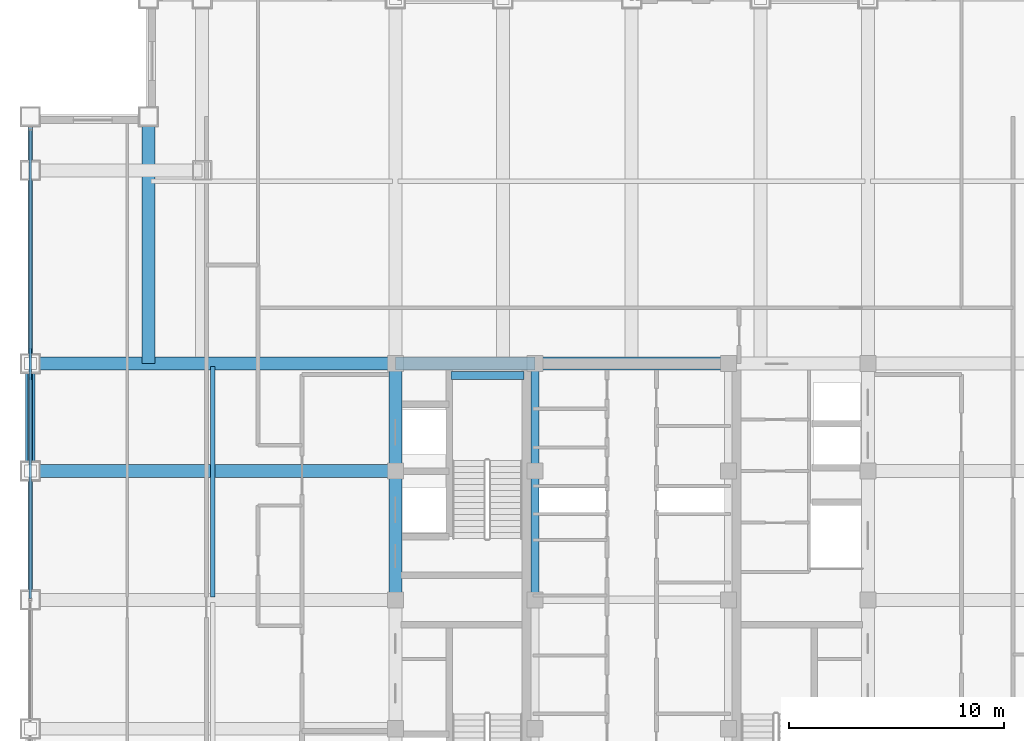
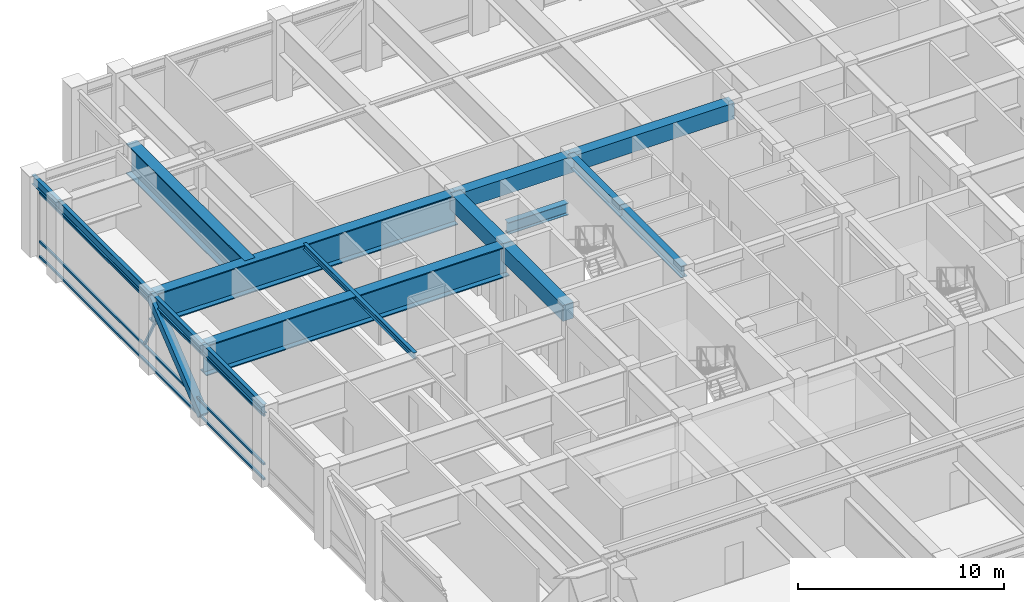
# One storey, part 13 of 31: 15 beams, 5 members, 1 element without a shape of its own.
"""IFC4 building model written with IfcOpenShell, lengths in metres."""

from ifc_helpers import new_model, si_unit, direction, frame, origin, origin_2d, place, context, subcontext, project, spatial, rectangle, hollow_rectangle, i_section, extrude, source, transform, mapped, material, material_profile, profile_set, type_object, element, aggregate, save


model = new_model("IFC4")

# Units and contexts
model_context = context("Model", 3, precision=1e-05, world=origin(), true_north=direction((0.0, 1.0)))
body_context = subcontext(model_context, "Body", "Model", "MODEL_VIEW")
ifc_project = project(units=[si_unit("LENGTHUNIT", "METRE"), si_unit("AREAUNIT", "SQUARE_METRE"), si_unit("VOLUMEUNIT", "CUBIC_METRE"), si_unit("PLANEANGLEUNIT", "RADIAN"), si_unit("MASSUNIT", "GRAM", prefix="KILO")], contexts=[model_context])

# Site, building, storey
site_placement = place(None, origin())
site = spatial("IfcSite", under=ifc_project, at=site_placement, CompositionType="ELEMENT")
building_placement = place(site_placement, origin())
building = spatial("IfcBuilding", under=site, at=building_placement, Name="Khorayat Bourse Tower", CompositionType="ELEMENT")
storey_placement = place(building_placement, frame((0.0, 0.0, 321.5)))
storey = spatial("IfcBuildingStorey", under=building, at=storey_placement, Name="L76", CompositionType="ELEMENT", Elevation=321.5)

# Beams
ifc_material_1 = material(Name="Steel ASTM A992 Grade 50", Category="steel")
ifc_material_profile_1 = material_profile(ifc_material_1, i_section(OverallWidth=0.35498046875, OverallDepth=0.695068359375, WebThickness=0.015380859375, FlangeThickness=0.02490234375, FilletRadius=0.01806640625, at=origin_2d()), Name="W690X217")
ifc_profile_set_1 = profile_set([ifc_material_profile_1], Name="Steel ASTM A992 Grade 50")
beam_type_1 = type_object("IfcBeamType", Name="BM-GIRD-690", PredefinedType="BEAM", material=ifc_profile_set_1)
shared_shape_1 = source(origin(), body_context, "Body", "SweptSolid", [
    extrude(i_section(OverallWidth=0.35498046875, OverallDepth=0.695068359375, WebThickness=0.015380859375, FlangeThickness=0.02490234375, FilletRadius=0.01806640625, at=origin_2d()), origin(), (0.0, 0.0, 1.0), 5.0),
])
beam_1_placement = place(storey_placement, frame((-4.5, 6.0, 4.1923828125), z_axis=(0.0, 1.0, 0.0), x_axis=(-1.0, 0.0, 0.0)))
element("IfcBeam", 1, at=beam_1_placement, inside=storey, type_object=beam_type_1, Name="L76 BM-GIRD-690 BM-L76-CRX-08", PredefinedType="BEAM", context=body_context, shape_type="MappedRepresentation", body=[
    mapped(shared_shape_1, transform((0.0, 0.0, 0.0), scale=1.0)),
])
shared_shape_2 = source(origin(), body_context, "Body", "SweptSolid", [
    extrude(i_section(OverallWidth=0.35498046875, OverallDepth=0.695068359375, WebThickness=0.015380859375, FlangeThickness=0.02490234375, FilletRadius=0.01806640625, at=origin_2d()), origin(), (0.0, 0.0, 1.0), 6.0),
])
beam_2_placement = place(storey_placement, frame((-4.5, 0.0, 4.1923828125), z_axis=(0.0, 1.0, 0.0), x_axis=(-1.0, 0.0, 0.0)))
element("IfcBeam", 2, at=beam_2_placement, inside=storey, type_object=beam_type_1, Name="L76 BM-GIRD-690 BM-L76-CRX-07", PredefinedType="BEAM", context=body_context, shape_type="MappedRepresentation", body=[
    mapped(shared_shape_2, transform((0.0, 0.0, 0.0), scale=1.0)),
])
shared_shape_3 = source(origin(), body_context, "Body", "SweptSolid", [
    extrude(i_section(OverallWidth=0.35498046875, OverallDepth=0.695068359375, WebThickness=0.015380859375, FlangeThickness=0.02490234375, FilletRadius=0.01806640625, at=origin_2d()), origin(), (0.0, 0.0, 1.0), 3.39990234375),
])
beam_3_placement = place(storey_placement, frame((-8.419921875, 10.449951171875, 1.8525390625), z_axis=(1.0, 0.0, 0.0), x_axis=(0.0, 1.0, 0.0)))
element("IfcBeam", 3, at=beam_3_placement, inside=storey, type_object=beam_type_1, Name="L76 BM-GIRD-690 BM-L76-ST2L", PredefinedType="BEAM", context=body_context, shape_type="MappedRepresentation", body=[
    mapped(shared_shape_3, transform((0.0, 0.0, 0.0), scale=1.0)),
])
ifc_material_2 = material(Name="Steel EN 10025-4 S460M", Category="steel")
ifc_material_profile_2 = material_profile(ifc_material_2, i_section(OverallWidth=0.60009765625, OverallDepth=1.800048828125, WebThickness=0.031982421875, FlangeThickness=0.06005859375, at=origin_2d()), Name="PG 1800x600x32x60")
ifc_profile_set_2 = profile_set([ifc_material_profile_2], Name="Steel EN 10025-4 S460M")
beam_type_2 = type_object("IfcBeamType", Name="BM-TR-1800", PredefinedType="BEAM", material=ifc_profile_set_2)
shared_shape_4 = source(origin(), body_context, "Body", "SweptSolid", [
    extrude(i_section(OverallWidth=0.60009765625, OverallDepth=1.800048828125, WebThickness=0.031982421875, FlangeThickness=0.06005859375, at=origin_2d()), origin(), (0.0, 0.0, 1.0), 17.0),
])
for number, where, z_axis, x_axis, name in (
    (4, (-28.0, 6.0, 3.639892578125), (1.0, 0.0, 0.0), (0.0, 1.0, 0.0), "L76 BM-TR-1800 BM-L76-RADX-081"),
    (5, (-28.0, 11.0, 3.639892578125), (1.0, 0.0, 0.0), (0.0, 1.0, 0.0), "L76 BM-TR-1800 BM-L76-RADX-083"),
):
    element("IfcBeam", number, at=place(storey_placement, frame(where, z_axis=z_axis, x_axis=x_axis)), inside=storey, type_object=beam_type_2, Name=name, PredefinedType="BEAM", context=body_context, shape_type="MappedRepresentation", body=[
        mapped(shared_shape_4, transform((0.0, 0.0, 0.0), scale=1.0)),
    ])
ifc_material_3 = material(Name="Concrete C60/75", Category="concrete")
ifc_material_profile_3 = material_profile(ifc_material_3, rectangle(XDim=0.60009765625, YDim=0.949951171875, at=origin_2d()), Name="RC 600x950")
ifc_profile_set_3 = profile_set([ifc_material_profile_3], Name="Concrete C60/75")
beam_type_3 = type_object("IfcBeamType", Name="BM-COUP-950", PredefinedType="BEAM", material=ifc_profile_set_3)
shared_shape_5 = source(origin(), body_context, "Body", "SweptSolid", [
    extrude(rectangle(XDim=0.60009765625, YDim=0.949951171875, at=origin_2d()), origin(), (0.0, 0.0, 1.0), 5.0),
])
beam_4_placement = place(storey_placement, frame((-11.0, 6.0, 4.06494140625), z_axis=(0.0, 1.0, 0.0), x_axis=(-1.0, 0.0, 0.0)))
element("IfcBeam", 6, at=beam_4_placement, inside=storey, type_object=beam_type_3, Name="L76 BM-COUP-950 BM-L76-CRX-04", PredefinedType="BEAM", context=body_context, shape_type="MappedRepresentation", body=[
    mapped(shared_shape_5, transform((0.0, 0.0, 0.0), scale=1.0)),
])
shared_shape_6 = source(origin(), body_context, "Body", "SweptSolid", [
    extrude(rectangle(XDim=0.60009765625, YDim=0.949951171875, at=origin_2d()), origin(), (0.0, 0.0, 1.0), 6.0),
])
beam_5_placement = place(storey_placement, frame((-11.0, 0.0, 4.06494140625), z_axis=(0.0, 1.0, 0.0), x_axis=(-1.0, 0.0, 0.0)))
element("IfcBeam", 7, at=beam_5_placement, inside=storey, type_object=beam_type_3, Name="L76 BM-COUP-950 BM-L76-CRX-03", PredefinedType="BEAM", context=body_context, shape_type="MappedRepresentation", body=[
    mapped(shared_shape_6, transform((0.0, 0.0, 0.0), scale=1.0)),
])
shared_shape_7 = source(origin(), body_context, "Body", "SweptSolid", [
    extrude(rectangle(XDim=0.60009765625, YDim=0.949951171875, at=origin_2d()), origin(), (0.0, 0.0, 1.0), 6.5),
])
beam_6_placement = place(storey_placement, frame((-11.0, 11.0, 4.06494140625), z_axis=(1.0, 0.0, 0.0), x_axis=(0.0, 1.0, 0.0)))
element("IfcBeam", 8, at=beam_6_placement, inside=storey, type_object=beam_type_3, Name="L76 BM-COUP-950 BM-L76-CRY-20", PredefinedType="BEAM", context=body_context, shape_type="MappedRepresentation", body=[
    mapped(shared_shape_7, transform((0.0, 0.0, 0.0), scale=1.0)),
])
shared_shape_8 = source(origin(), body_context, "Body", "SweptSolid", [
    extrude(rectangle(XDim=0.60009765625, YDim=0.949951171875, at=origin_2d()), origin(), (0.0, 0.0, 1.0), 9.0),
])
beam_7_placement = place(storey_placement, frame((-4.5, 11.0, 4.06494140625), z_axis=(1.0, 0.0, 0.0), x_axis=(0.0, 1.0, 0.0)))
element("IfcBeam", 9, at=beam_7_placement, inside=storey, type_object=beam_type_3, Name="L76 BM-COUP-950 BM-L76-CRY-21", PredefinedType="BEAM", context=body_context, shape_type="MappedRepresentation", body=[
    mapped(shared_shape_8, transform((0.0, 0.0, 0.0), scale=1.0)),
])
ifc_material_profile_4 = material_profile(ifc_material_1, i_section(OverallWidth=0.202880859375, OverallDepth=0.346923828125, WebThickness=0.0078125, FlangeThickness=0.013427734375, FilletRadius=0.010009765625, at=origin_2d()), Name="W360X64")
ifc_profile_set_4 = profile_set([ifc_material_profile_4], Name="Steel ASTM A992 Grade 50")
beam_type_4 = type_object("IfcBeamType", Name="BM-JOIST-360", PredefinedType="JOIST", material=ifc_profile_set_4)
shared_shape_9 = source(origin(), body_context, "Body", "SweptSolid", [
    extrude(i_section(OverallWidth=0.202880859375, OverallDepth=0.346923828125, WebThickness=0.0078125, FlangeThickness=0.013427734375, FilletRadius=0.010009765625, at=origin_2d()), origin(), (0.0, 0.0, 1.0), 10.740234375),
])
beam_8_placement = place(storey_placement, frame((-19.5, 0.1298828125, 4.366455078125), z_axis=(0.0, 1.0, 0.0), x_axis=(-1.0, 0.0, 0.0)))
element("IfcBeam", 10, at=beam_8_placement, inside=storey, type_object=beam_type_4, Name="L76 BM-JOIST-360 BM-L76-JSTY-103", PredefinedType="JOIST", context=body_context, shape_type="MappedRepresentation", body=[
    mapped(shared_shape_9, transform((0.0, 0.0, 0.0), scale=1.0)),
])
ifc_material_profile_5 = material_profile(ifc_material_1, i_section(OverallWidth=0.214111328125, OverallDepth=0.549072265625, WebThickness=0.0146484375, FlangeThickness=0.023681640625, FilletRadius=0.013916015625, at=origin_2d()), Name="W530X138")
ifc_profile_set_5 = profile_set([ifc_material_profile_5], Name="Steel ASTM A992 Grade 50")
beam_type_5 = type_object("IfcBeamType", Name="BM-SPAN-530", PredefinedType="SPANDREL", material=ifc_profile_set_5)
shared_shape_10 = source(origin(), body_context, "Body", "SweptSolid", [
    extrude(i_section(OverallWidth=0.214111328125, OverallDepth=0.549072265625, WebThickness=0.0146484375, FlangeThickness=0.023681640625, FilletRadius=0.013916015625, at=origin_2d()), origin(), (0.0, 0.0, 1.0), 2.5),
])
beam_9_placement = place(storey_placement, frame((-28.0, 20.0, 4.265380859375), z_axis=(0.0, 1.0, 0.0), x_axis=(-1.0, 0.0, 0.0)))
element("IfcBeam", 11, at=beam_9_placement, inside=storey, type_object=beam_type_5, Name="L76 BM-SPAN-530 BM-L76-SPN-054", PredefinedType="SPANDREL", context=body_context, shape_type="MappedRepresentation", body=[
    mapped(shared_shape_10, transform((0.0, 0.0, 0.0), scale=1.0)),
])
shared_shape_11 = source(origin(), body_context, "Body", "SweptSolid", [
    extrude(i_section(OverallWidth=0.214111328125, OverallDepth=0.549072265625, WebThickness=0.0146484375, FlangeThickness=0.023681640625, FilletRadius=0.013916015625, at=origin_2d()), origin(), (0.0, 0.0, 1.0), 9.0),
])
beam_10_placement = place(storey_placement, frame((-28.0, 11.0, 4.265380859375), z_axis=(0.0, 1.0, 0.0), x_axis=(-1.0, 0.0, 0.0)))
element("IfcBeam", 12, at=beam_10_placement, inside=storey, type_object=beam_type_5, Name="L76 BM-SPAN-530 BM-L76-SPN-055", PredefinedType="SPANDREL", context=body_context, shape_type="MappedRepresentation", body=[
    mapped(shared_shape_11, transform((0.0, 0.0, 0.0), scale=1.0)),
])
shared_shape_12 = source(origin(), body_context, "Body", "SweptSolid", [
    extrude(i_section(OverallWidth=0.214111328125, OverallDepth=0.549072265625, WebThickness=0.0146484375, FlangeThickness=0.023681640625, FilletRadius=0.013916015625, at=origin_2d()), origin(), (0.0, 0.0, 1.0), 5.0),
])
beam_11_placement = place(storey_placement, frame((-28.0, 6.0, 4.265380859375), z_axis=(0.0, 1.0, 0.0), x_axis=(-1.0, 0.0, 0.0)))
element("IfcBeam", 13, at=beam_11_placement, inside=storey, type_object=beam_type_5, Name="L76 BM-SPAN-530 BM-L76-SPN-056", PredefinedType="SPANDREL", context=body_context, shape_type="MappedRepresentation", body=[
    mapped(shared_shape_12, transform((0.0, 0.0, 0.0), scale=1.0)),
])
shared_shape_13 = source(origin(), body_context, "Body", "SweptSolid", [
    extrude(i_section(OverallWidth=0.214111328125, OverallDepth=0.549072265625, WebThickness=0.0146484375, FlangeThickness=0.023681640625, FilletRadius=0.013916015625, at=origin_2d()), origin(), (0.0, 0.0, 1.0), 6.0),
])
beam_12_placement = place(storey_placement, frame((-28.0, 0.0, 4.265380859375), z_axis=(0.0, 1.0, 0.0), x_axis=(-1.0, 0.0, 0.0)))
element("IfcBeam", 14, at=beam_12_placement, inside=storey, type_object=beam_type_5, Name="L76 BM-SPAN-530 BM-L76-SPN-057", PredefinedType="SPANDREL", context=body_context, shape_type="MappedRepresentation", body=[
    mapped(shared_shape_13, transform((0.0, 0.0, 0.0), scale=1.0)),
])
shared_shape_14 = source(origin(), body_context, "Body", "SweptSolid", [
    extrude(i_section(OverallWidth=0.60009765625, OverallDepth=1.800048828125, WebThickness=0.031982421875, FlangeThickness=0.06005859375, at=origin_2d()), origin(), (0.0, 0.0, 1.0), 11.5),
])
beam_13_placement = place(storey_placement, frame((-22.5, 11.0, 3.639892578125), z_axis=(0.0, 1.0, 0.0), x_axis=(-1.0, 0.0, 0.0)))
element("IfcBeam", 15, at=beam_13_placement, inside=storey, type_object=beam_type_2, Name="L76 BM-TR-1800 BM-L76-CNRY-089", PredefinedType="BEAM", context=body_context, shape_type="MappedRepresentation", body=[
    mapped(shared_shape_14, transform((0.0, 0.0, 0.0), scale=1.0)),
])

# Member
ifc_material_profile_6 = material_profile(ifc_material_2, hollow_rectangle(XDim=0.449951171875, YDim=0.449951171875, WallThickness=0.02490234375, at=origin_2d()), Name="HSS 450x450x25")
ifc_profile_set_6 = profile_set([ifc_material_profile_6], Name="Steel EN 10025-4 S460M")
member_type_1 = type_object("IfcMemberType", Name="MBR-TUBE-450", PredefinedType="BRACE", material=ifc_profile_set_6)
shared_shape_15 = source(origin(), body_context, "Body", "SweptSolid", [
    extrude(hollow_rectangle(XDim=0.449951171875, YDim=0.449951171875, WallThickness=0.02490234375, at=origin_2d()), origin(), (0.0, 0.0, 1.0), 6.42822265625),
])
member_1_placement = place(storey_placement, frame((-28.0, 6.0, 0.25), z_axis=(0.0, 0.777821209127, 0.628485613703), x_axis=(-1.0, 0.0, 0.0)))
element("IfcMember", 16, at=member_1_placement, inside=storey, type_object=member_type_1, Name="L76 Perimeter Tube Brace 06", PredefinedType="BRACE", context=body_context, shape_type="MappedRepresentation", body=[
    mapped(shared_shape_15, transform((0.0, 0.0, 0.0), scale=1.0)),
])

# Curtain wall, members
ifc_material_4 = material(Name="Aluminium EN AW-6063 T6", Category="aluminium")
curtain_wall_type = type_object("IfcCurtainWallType", Name="CW-SYS-05", PredefinedType="NOTDEFINED", material=ifc_material_4)
curtain_wall_placement = place(storey_placement, origin())
curtain_wall = element("IfcCurtainWall", 17, at=curtain_wall_placement, inside=storey, type_object=curtain_wall_type, Name="L76 Curtain Wall CW-L76-W1", PredefinedType="NOTDEFINED")
ifc_material_profile_7 = material_profile(ifc_material_4, hollow_rectangle(XDim=0.1201171875, YDim=0.1201171875, WallThickness=0.0048828125, at=origin_2d()), Name="ALU 120x120x5")
ifc_profile_set_7 = profile_set([ifc_material_profile_7], Name="Aluminium EN AW-6063 T6")
member_type_2 = type_object("IfcMemberType", Name="CWM-DIAG-120", PredefinedType="MULLION", material=ifc_profile_set_7)
shared_shape_16 = source(origin(), body_context, "Body", "SweptSolid", [
    extrude(hollow_rectangle(XDim=0.1201171875, YDim=0.1201171875, WallThickness=0.0048828125, at=origin_2d()), origin(), (0.0, 0.0, 1.0), 2.93798828125),
])
member_2_placement = place(storey_placement, frame((-28.0, 11.649169921875, 1.090087890625), z_axis=(0.0, -0.465763557035, 0.884909209432), x_axis=(1.0, 0.0, 0.0)))
member_2 = element("IfcMember", 18, at=member_2_placement, type_object=member_type_2, Name="CW-L76-W1 Faceted Diagonal Mullion 2", PredefinedType="MULLION", context=body_context, shape_type="MappedRepresentation", body=[
    mapped(shared_shape_16, transform((0.0, 0.0, 0.0), scale=1.0)),
])
ifc_material_profile_8 = material_profile(ifc_material_4, hollow_rectangle(XDim=0.1201171875, YDim=0.1201171875, WallThickness=0.0048828125, at=origin_2d()), Name="ALU 120x120x5")
ifc_profile_set_8 = profile_set([ifc_material_profile_8], Name="Aluminium EN AW-6063 T6")
member_type_3 = type_object("IfcMemberType", Name="CWT-HORZ-120", PredefinedType="USERDEFINED", material=ifc_profile_set_8)
shared_shape_17 = source(origin(), body_context, "Body", "SweptSolid", [
    extrude(hollow_rectangle(XDim=0.1201171875, YDim=0.1201171875, WallThickness=0.0048828125, at=origin_2d()), origin(), (0.0, 0.0, 1.0), 21.7900390625),
])
member_3_placement = place(storey_placement, frame((-28.0, 0.070068359375, 0.06005859375), z_axis=(0.0, 1.0, 0.0), x_axis=(-1.0, 0.0, 0.0)))
member_3 = element("IfcMember", 19, at=member_3_placement, type_object=member_type_3, Name="CW-L76-W1 Horizontal Transom 2-1", ObjectType="TRANSOM", PredefinedType="USERDEFINED", context=body_context, shape_type="MappedRepresentation", body=[
    mapped(shared_shape_17, transform((0.0, 0.0, 0.0), scale=1.0)),
])
member_4_placement = place(storey_placement, frame((-28.0, 0.070068359375, 0.949951171875), z_axis=(0.0, 1.0, 0.0), x_axis=(-1.0, 0.0, 0.0)))
member_4 = element("IfcMember", 20, at=member_4_placement, type_object=member_type_3, Name="CW-L76-W1 Horizontal Transom 2-2", ObjectType="TRANSOM", PredefinedType="USERDEFINED", context=body_context, shape_type="MappedRepresentation", body=[
    mapped(shared_shape_17, transform((0.0, 0.0, 0.0), scale=1.0)),
])
member_5_placement = place(storey_placement, frame((-28.0, 0.070068359375, 3.830078125), z_axis=(0.0, 1.0, 0.0), x_axis=(-1.0, 0.0, 0.0)))
member_5 = element("IfcMember", 21, at=member_5_placement, type_object=member_type_3, Name="CW-L76-W1 Horizontal Transom 2-3", ObjectType="TRANSOM", PredefinedType="USERDEFINED", context=body_context, shape_type="MappedRepresentation", body=[
    mapped(shared_shape_17, transform((0.0, 0.0, 0.0), scale=1.0)),
])
aggregate(curtain_wall, [member_3, member_4, member_5, member_2])

save(model, "model.ifc")
